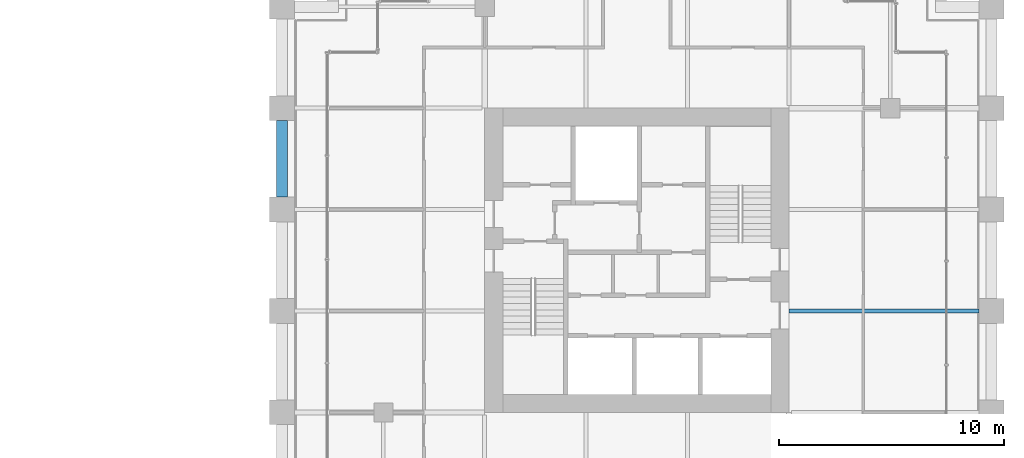
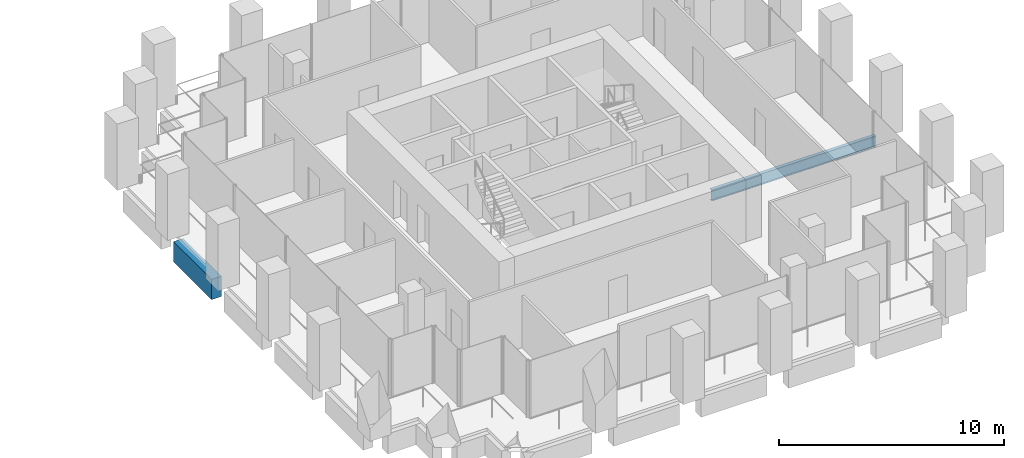
# One storey, part 39 of 56: 2 beams.
"""IFC4 building model written with IfcOpenShell, lengths in metres."""

from ifc_helpers import new_model, si_unit, direction, frame, origin, origin_2d, place, context, subcontext, project, spatial, rectangle, i_section, extrude, material, material_profile, profile_set, type_object, element, save


model = new_model("IFC4")

# Units and contexts
model_context = context("Model", 3, precision=1e-05, world=origin(), true_north=direction((0.0, 1.0)))
body_context = subcontext(model_context, "Body", "Model", "MODEL_VIEW")
ifc_project = project(units=[si_unit("LENGTHUNIT", "METRE"), si_unit("AREAUNIT", "SQUARE_METRE"), si_unit("VOLUMEUNIT", "CUBIC_METRE"), si_unit("PLANEANGLEUNIT", "RADIAN"), si_unit("MASSUNIT", "GRAM", prefix="KILO")], contexts=[model_context])

# Site, building, storey
site_placement = place(None, origin())
site = spatial("IfcSite", under=ifc_project, at=site_placement, CompositionType="ELEMENT")
building_placement = place(site_placement, origin())
building = spatial("IfcBuilding", under=site, at=building_placement, Name="Altepetl Exchange Towers", CompositionType="ELEMENT")
storey_placement = place(building_placement, frame((0.0, 0.0, 54.60009765625)))
storey = spatial("IfcBuildingStorey", under=building, at=storey_placement, Name="L12", CompositionType="ELEMENT", Elevation=54.60009765625)

# Beams
ifc_material_1 = material(Name="Steel S355", Category="steel")
ifc_material_profile_1 = material_profile(ifc_material_1, i_section(OverallWidth=0.177978515625, OverallDepth=0.59912109375, WebThickness=0.010009765625, FlangeThickness=0.0126953125, at=origin_2d()), Name="W24X55")
ifc_profile_set_1 = profile_set([ifc_material_profile_1], Name="Steel S355")
beam_type_1 = type_object("IfcBeamType", Name="Floor beam W24X55", PredefinedType="BEAM", material=ifc_profile_set_1)
beam_1_placement = place(storey_placement, frame((117.0, 40.5, -0.44970703125), z_axis=(1.0, 0.0, 0.0), x_axis=(0.0, 1.0, 0.0)))
element("IfcBeam", 1, at=beam_1_placement, inside=storey, type_object=beam_type_1, Name="bm:B:L12:006", PredefinedType="BEAM", context=body_context, shape_type="SweptSolid", body=[
    extrude(i_section(OverallWidth=0.177978515625, OverallDepth=0.59912109375, WebThickness=0.010009765625, FlangeThickness=0.0126953125, at=origin_2d()), origin(), (0.0, 0.0, 1.0), 8.449951171875),
])
ifc_material_2 = material(Name="Concrete C50/60 precast with cantera rosa facing", Category="concrete")
ifc_material_profile_2 = material_profile(ifc_material_2, rectangle(XDim=0.5, YDim=1.10009765625, at=origin_2d()), Name="500 x 1100")
ifc_profile_set_2 = profile_set([ifc_material_profile_2], Name="Concrete C50/60 precast with cantera rosa facing")
beam_type_2 = type_object("IfcBeamType", Name="Spandrel beam 500x1100 cantera rosa", PredefinedType="SPANDREL", material=ifc_profile_set_2)
beam_2_placement = place(storey_placement, frame((94.5, 48.949951171875, -0.7001953125), z_axis=(0.0, -1.0, 0.0), x_axis=(1.0, 0.0, 0.0)))
element("IfcBeam", 2, at=beam_2_placement, inside=storey, type_object=beam_type_2, Name="sp:B:L12:028", PredefinedType="SPANDREL", context=body_context, shape_type="SweptSolid", body=[
    extrude(rectangle(XDim=0.5, YDim=1.10009765625, at=origin_2d()), origin(), (0.0, 0.0, 1.0), 3.39990234375),
])

save(model, "model.ifc")
